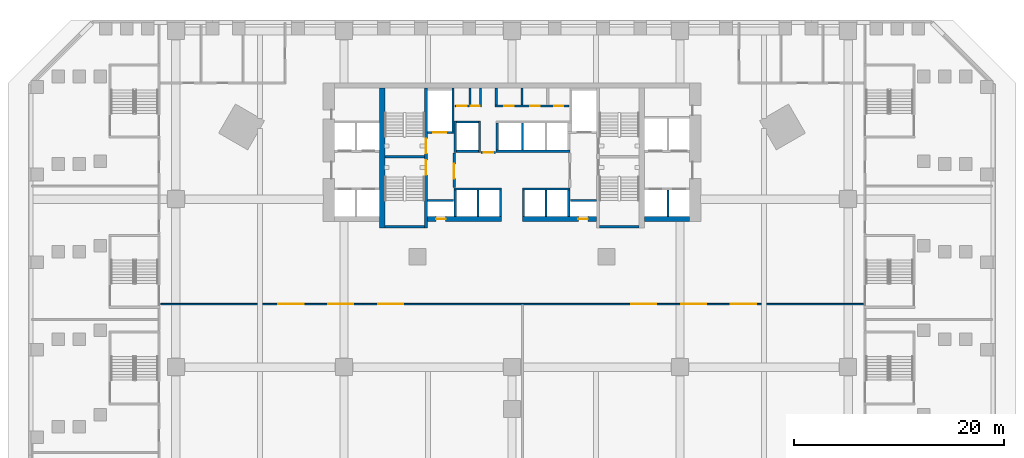
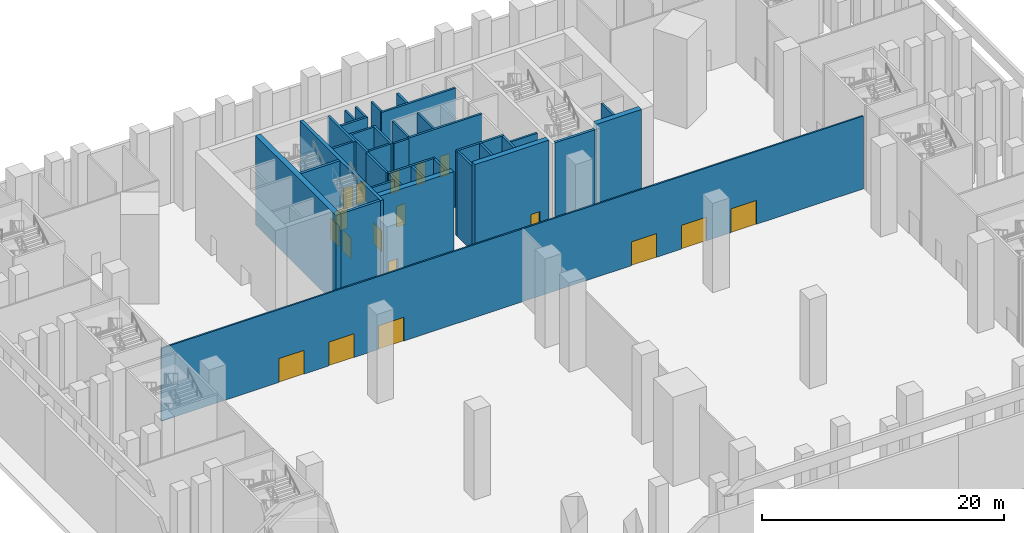
# One storey, part 7 of 25: 37 walls, 18 doors, 18 openings.
"""IFC4 building model written with IfcOpenShell, lengths in metres."""

from ifc_helpers import new_model, si_unit, direction, frame, frame_2d, origin, place, context, subcontext, project, spatial, rectangle, extrude, material, layer, layer_set, type_object, element, fill, save


model = new_model("IFC4")

# Units and contexts
model_context = context("Model", 3, precision=1e-05, world=origin(), true_north=direction((0.0, 1.0)))
body_context = subcontext(model_context, "Body", "Model", "MODEL_VIEW")
ifc_project = project(units=[si_unit("LENGTHUNIT", "METRE"), si_unit("AREAUNIT", "SQUARE_METRE"), si_unit("VOLUMEUNIT", "CUBIC_METRE"), si_unit("PLANEANGLEUNIT", "RADIAN"), si_unit("MASSUNIT", "GRAM", prefix="KILO")], contexts=[model_context])

# Site, building, storey
site_placement = place(None, origin())
site = spatial("IfcSite", under=ifc_project, at=site_placement, CompositionType="ELEMENT")
building_placement = place(site_placement, origin())
building = spatial("IfcBuilding", under=site, at=building_placement, Name="Calabash Gate Tower", CompositionType="ELEMENT")
storey_placement = place(building_placement, frame((0.0, 0.0, 20.0)))
storey = spatial("IfcBuildingStorey", under=building, at=storey_placement, Name="L02", CompositionType="ELEMENT", Elevation=20.0)

# Walls
ifc_material_1 = material(Name="Gypsum board on steel studs, mineral wool", Category="steel")
ifc_layer_1 = layer(ifc_material_1, 0.199951171875)
ifc_layer_set_1 = layer_set([ifc_layer_1], Name="Core partition 200 gypsum board")
wall_type_1 = type_object("IfcWallType", Name="Core partition 200 gypsum board", PredefinedType="PARTITIONING", material=ifc_layer_set_1)
for number, where, z_axis, x_axis, name in (
    (1, (-4.0, 16.95263671875, 0.0), (0.0, 0.0, 1.0), (0.0, 1.0, 0.0), "Core partition"),
    (2, (-3.0, 16.95263671875, 0.0), (0.0, 0.0, 1.0), (0.0, 1.0, 0.0), "Core partition"),
    (3, (-1.5, 16.95263671875, 0.0), (0.0, 0.0, 1.0), (0.0, 1.0, 0.0), "Core partition"),
    (4, (0.949951171875, 16.95263671875, 0.0), (0.0, 0.0, 1.0), (0.0, 1.0, 0.0), "Core partition"),
):
    element("IfcWall", number, at=place(storey_placement, frame(where, z_axis=z_axis, x_axis=x_axis)), inside=storey, type_object=wall_type_1, Name=name, PredefinedType="PARTITIONING", context=body_context, shape_type="SweptSolid", body=[
        extrude(rectangle(XDim=1.599853515625, YDim=0.199951171875, at=frame_2d((0.7998046875, 0.0))), origin(), (0.0, 0.0, 1.0), 8.550048828125),
    ])
ifc_material_2 = material(Name="Concrete C80/95", Category="concrete")
ifc_layer_2 = layer(ifc_material_2, 0.25)
ifc_layer_set_2 = layer_set([ifc_layer_2], Name="Core wall 250 Concrete C80/95")
wall_type_2 = type_object("IfcWallType", Name="Core wall 250 Concrete C80/95", PredefinedType="SHEAR", material=ifc_layer_set_2)
for number, where, z_axis, x_axis, name in (
    (5, (-12.10009765625, 12.027587890625, 0.0), (0.0, 0.0, 1.0), (1.0, 0.0, 0.0), "Core wall Z0-MIDW L02"),
    (6, (-12.10009765625, 5.377685546875, 0.0), (0.0, 0.0, 1.0), (1.0, 0.0, 0.0), "Core wall Z0-SSW L02"),
    (7, (8.35009765625, 5.377685546875, 0.0), (0.0, 0.0, 1.0), (1.0, 0.0, 0.0), "Core wall Z0-SSE L02"),
):
    element("IfcWall", number, at=place(storey_placement, frame(where, z_axis=z_axis, x_axis=x_axis)), inside=storey, type_object=wall_type_2, Name=name, PredefinedType="SHEAR", context=body_context, shape_type="SweptSolid", body=[
        extrude(rectangle(XDim=3.75, YDim=0.25, at=frame_2d((1.875, 0.0))), origin(), (0.0, 0.0, 1.0), 9.0),
    ])

# Wall, openings, doors
ifc_material_3 = material(Name="Concrete C80/95", Category="concrete")
ifc_layer_3 = layer(ifc_material_3, 0.300048828125)
ifc_layer_set_3 = layer_set([ifc_layer_3], Name="Core wall 300 Concrete C80/95")
wall_type_3 = type_object("IfcWallType", Name="Core wall 300 Concrete C80/95", PredefinedType="SHEAR", material=ifc_layer_set_3)
wall_1_placement = place(storey_placement, frame((-8.199951171875, 5.252685546875, 0.0), z_axis=(0.0, 0.0, 1.0), x_axis=(0.0, 1.0, 0.0)))
wall_1 = element("IfcWall", 8, at=wall_1_placement, inside=storey, type_object=wall_type_3, Name="Core wall Z0-PARTW L02", PredefinedType="SHEAR", context=body_context, shape_type="SweptSolid", body=[
    extrude(rectangle(XDim=13.2998046875, YDim=0.300048828125, at=frame_2d((6.64990234375, 0.0))), origin(), (0.0, 0.0, 1.0), 9.0),
])
opening_1_placement = place(wall_1_placement, frame((7.10009765625, 0.0, 0.0)))
opening_1 = element("IfcOpeningElement", 9, at=opening_1_placement, cuts=wall_1, Name="Opening L02-001", PredefinedType="OPENING", context=body_context, shape_type="SweptSolid", body=[
    extrude(rectangle(XDim=1.39990234375, YDim=2.10009765625, at=frame_2d((0.699951171875, 1.050048828125))), frame((0.0, 0.159912109375, 0.0), z_axis=(0.0, -1.0, 0.0), x_axis=(1.0, 0.0, 0.0)), (0.0, 0.0, 1.0), 0.320068359375),
])
opening_2_placement = place(wall_1_placement, frame((5.050048828125, 0.0, 0.0)))
opening_2 = element("IfcOpeningElement", 10, at=opening_2_placement, cuts=wall_1, Name="Opening L02-002", PredefinedType="OPENING", context=body_context, shape_type="SweptSolid", body=[
    extrude(rectangle(XDim=1.39990234375, YDim=2.10009765625, at=frame_2d((0.699951171875, 1.050048828125))), frame((0.0, 0.159912109375, 0.0), z_axis=(0.0, -1.0, 0.0), x_axis=(1.0, 0.0, 0.0)), (0.0, 0.0, 1.0), 0.320068359375),
])
ifc_material_4 = material(Name="Steel fire door set with fire-resisting glazing", Category="steel")
door_type_1 = type_object("IfcDoorType", Name="Fire door D05 1400x2100 FD90", OperationType="NOTDEFINED", PredefinedType="DOOR", material=ifc_material_4)
door_1_placement = place(opening_1_placement, origin())
door_1 = element("IfcDoor", 11, at=door_1_placement, inside=storey, type_object=door_type_1, Name="Exit stair door ST1", OperationType="SINGLE_SWING_LEFT", OverallHeight=2.10009765625, OverallWidth=1.39990234375, PredefinedType="DOOR", context=body_context, shape_type="SweptSolid", body=[
    extrude(rectangle(XDim=1.39990234375, YDim=2.10009765625, at=frame_2d((0.699951171875, 1.050048828125))), frame((0.0, 0.02490234375, 0.0), z_axis=(0.0, -1.0, 0.0), x_axis=(1.0, 0.0, 0.0)), (0.0, 0.0, 1.0), 0.050048828125),
])
fill(opening_1, door_1)
door_2_placement = place(opening_2_placement, origin())
door_2 = element("IfcDoor", 12, at=door_2_placement, inside=storey, type_object=door_type_1, Name="Exit stair door ST2", OperationType="SINGLE_SWING_LEFT", OverallHeight=2.10009765625, OverallWidth=1.39990234375, PredefinedType="DOOR", context=body_context, shape_type="SweptSolid", body=[
    extrude(rectangle(XDim=1.39990234375, YDim=2.10009765625, at=frame_2d((0.699951171875, 1.050048828125))), frame((0.0, 0.02490234375, 0.0), z_axis=(0.0, -1.0, 0.0), x_axis=(1.0, 0.0, 0.0)), (0.0, 0.0, 1.0), 0.050048828125),
])
fill(opening_2, door_2)

# Wall
ifc_material_5 = material(Name="Concrete C80/95", Category="concrete")
ifc_layer_4 = layer(ifc_material_5, 0.5)
ifc_layer_set_4 = layer_set([ifc_layer_4], Name="Core wall 500 Concrete C80/95")
wall_type_4 = type_object("IfcWallType", Name="Core wall 500 Concrete C80/95", PredefinedType="SHEAR", material=ifc_layer_set_4)
wall_2_placement = place(storey_placement, frame((-12.35009765625, 5.252685546875, 0.0), z_axis=(0.0, 0.0, 1.0), x_axis=(0.0, 1.0, 0.0)))
element("IfcWall", 13, at=wall_2_placement, inside=storey, type_object=wall_type_4, Name="Core wall Z0-COLW L02", PredefinedType="SHEAR", context=body_context, shape_type="SweptSolid", body=[
    extrude(rectangle(XDim=13.2998046875, YDim=0.5, at=frame_2d((6.64990234375, 0.0))), origin(), (0.0, 0.0, 1.0), 9.0),
])

# Wall, opening, door
wall_3_placement = place(storey_placement, frame((-8.050048828125, 6.1025390625, 0.0), z_axis=(0.0, 0.0, 1.0), x_axis=(1.0, 0.0, 0.0)))
wall_3 = element("IfcWall", 14, at=wall_3_placement, inside=storey, type_object=wall_type_4, Name="Core wall Z0-SA L02", PredefinedType="SHEAR", context=body_context, shape_type="SweptSolid", body=[
    extrude(rectangle(XDim=7.050048828125, YDim=0.5, at=frame_2d((3.52490234375, 0.0))), origin(), (0.0, 0.0, 1.0), 9.0),
])
opening_3_placement = place(wall_3_placement, frame((0.824951171875, 0.0, 0.0)))
opening_3 = element("IfcOpeningElement", 15, at=opening_3_placement, cuts=wall_3, Name="Opening L02-013", PredefinedType="OPENING", context=body_context, shape_type="SweptSolid", body=[
    extrude(rectangle(XDim=0.89990234375, YDim=2.10009765625, at=frame_2d((0.449951171875, 1.050048828125))), frame((0.0, 0.260009765625, 0.0), z_axis=(0.0, -1.0, 0.0), x_axis=(1.0, 0.0, 0.0)), (0.0, 0.0, 1.0), 0.52001953125),
])
ifc_material_6 = material(Name="Steel fire door set with fire-resisting glazing", Category="steel")
door_type_2 = type_object("IfcDoorType", Name="Fire door D07 900x2100 FD90", OperationType="NOTDEFINED", PredefinedType="DOOR", material=ifc_material_6)
door_3_placement = place(opening_3_placement, origin())
door_3 = element("IfcDoor", 16, at=door_3_placement, inside=storey, type_object=door_type_2, Name="Electrical Riser W door", OperationType="SINGLE_SWING_LEFT", OverallHeight=2.10009765625, OverallWidth=0.89990234375, PredefinedType="DOOR", context=body_context, shape_type="SweptSolid", body=[
    extrude(rectangle(XDim=0.89990234375, YDim=2.10009765625, at=frame_2d((0.449951171875, 1.050048828125))), frame((0.0, 0.02490234375, 0.0), z_axis=(0.0, -1.0, 0.0), x_axis=(1.0, 0.0, 0.0)), (0.0, 0.0, 1.0), 0.050048828125),
])
fill(opening_3, door_3)

wall_4_placement = place(storey_placement, frame((1.0, 6.1025390625, 0.0), z_axis=(0.0, 0.0, 1.0), x_axis=(1.0, 0.0, 0.0)))
wall_4 = element("IfcWall", 17, at=wall_4_placement, inside=storey, type_object=wall_type_4, Name="Core wall Z0-SB L02", PredefinedType="SHEAR", context=body_context, shape_type="SweptSolid", body=[
    extrude(rectangle(XDim=7.050048828125, YDim=0.5, at=frame_2d((3.52490234375, 0.0))), origin(), (0.0, 0.0, 1.0), 9.0),
])
opening_4_placement = place(wall_4_placement, frame((5.324951171875, 0.0, 0.0)))
opening_4 = element("IfcOpeningElement", 18, at=opening_4_placement, cuts=wall_4, Name="Opening L02-014", PredefinedType="OPENING", context=body_context, shape_type="SweptSolid", body=[
    extrude(rectangle(XDim=0.89990234375, YDim=2.10009765625, at=frame_2d((0.449951171875, 1.050048828125))), frame((0.0, 0.260009765625, 0.0), z_axis=(0.0, -1.0, 0.0), x_axis=(1.0, 0.0, 0.0)), (0.0, 0.0, 1.0), 0.52001953125),
])
door_4_placement = place(opening_4_placement, origin())
door_4 = element("IfcDoor", 19, at=door_4_placement, inside=storey, type_object=door_type_2, Name="Mechanical Riser E door", OperationType="SINGLE_SWING_RIGHT", OverallHeight=2.10009765625, OverallWidth=0.89990234375, PredefinedType="DOOR", context=body_context, shape_type="SweptSolid", body=[
    extrude(rectangle(XDim=0.89990234375, YDim=2.10009765625, at=frame_2d((0.449951171875, 1.050048828125))), frame((0.0, 0.02490234375, 0.0), z_axis=(0.0, -1.0, 0.0), x_axis=(1.0, 0.0, 0.0)), (0.0, 0.0, 1.0), 0.050048828125),
])
fill(opening_4, door_4)

# Wall
wall_5_placement = place(storey_placement, frame((12.60009765625, 6.1025390625, 0.0), z_axis=(0.0, 0.0, 1.0), x_axis=(1.0, 0.0, 0.0)))
element("IfcWall", 20, at=wall_5_placement, inside=storey, type_object=wall_type_4, Name="Core wall Z0-SE L02", PredefinedType="SHEAR", context=body_context, shape_type="SweptSolid", body=[
    extrude(rectangle(XDim=4.2998046875, YDim=0.5, at=frame_2d((2.14990234375, 0.0))), origin(), (0.0, 0.0, 1.0), 9.0),
])

# Wall, openings, doors
ifc_material_7 = material(Name="Gypsum board on steel studs, mineral wool", Category="steel")
ifc_layer_5 = layer(ifc_material_7, 0.14990234375)
ifc_layer_set_5 = layer_set([ifc_layer_5], Name="Partition 150 gypsum board")
wall_type_5 = type_object("IfcWallType", Name="Partition 150 gypsum board", PredefinedType="PARTITIONING", material=ifc_layer_set_5)
wall_6_placement = place(storey_placement, frame((-33.4599609375, -2.0, 0.0), z_axis=(0.0, 0.0, 1.0), x_axis=(1.0, 0.0, 0.0)))
wall_6 = element("IfcWall", 21, at=wall_6_placement, inside=storey, type_object=wall_type_5, Name="Partition", PredefinedType="PARTITIONING", context=body_context, shape_type="SweptSolid", body=[
    extrude(rectangle(XDim=66.919921875, YDim=0.14990234375, at=frame_2d((33.4599609375, 0.0))), origin(), (0.0, 0.0, 1.0), 7.35009765625),
])
opening_5_placement = place(wall_6_placement, frame((15.9599609375, 0.0, 0.0)))
opening_5 = element("IfcOpeningElement", 22, at=opening_5_placement, cuts=wall_6, Name="Opening L02-045", PredefinedType="OPENING", context=body_context, shape_type="SweptSolid", body=[
    extrude(rectangle(XDim=2.39990234375, YDim=2.39990234375, at=frame_2d((1.199951171875, 1.199951171875))), frame((0.0, 0.0849609375, 0.0), z_axis=(0.0, -1.0, 0.0), x_axis=(1.0, 0.0, 0.0)), (0.0, 0.0, 1.0), 0.169921875),
])
opening_6_placement = place(wall_6_placement, frame((20.7099609375, 0.0, 0.0)))
opening_6 = element("IfcOpeningElement", 23, at=opening_6_placement, cuts=wall_6, Name="Opening L02-046", PredefinedType="OPENING", context=body_context, shape_type="SweptSolid", body=[
    extrude(rectangle(XDim=2.39990234375, YDim=2.39990234375, at=frame_2d((1.199951171875, 1.199951171875))), frame((0.0, 0.0849609375, 0.0), z_axis=(0.0, -1.0, 0.0), x_axis=(1.0, 0.0, 0.0)), (0.0, 0.0, 1.0), 0.169921875),
])
opening_7_placement = place(wall_6_placement, frame((11.2099609375, 0.0, 0.0)))
opening_7 = element("IfcOpeningElement", 24, at=opening_7_placement, cuts=wall_6, Name="Opening L02-047", PredefinedType="OPENING", context=body_context, shape_type="SweptSolid", body=[
    extrude(rectangle(XDim=2.39990234375, YDim=2.39990234375, at=frame_2d((1.199951171875, 1.199951171875))), frame((0.0, 0.0849609375, 0.0), z_axis=(0.0, -1.0, 0.0), x_axis=(1.0, 0.0, 0.0)), (0.0, 0.0, 1.0), 0.169921875),
])
opening_8_placement = place(wall_6_placement, frame((49.55908203125, 0.0, 0.0)))
opening_8 = element("IfcOpeningElement", 25, at=opening_8_placement, cuts=wall_6, Name="Opening L02-048", PredefinedType="OPENING", context=body_context, shape_type="SweptSolid", body=[
    extrude(rectangle(XDim=2.39990234375, YDim=2.39990234375, at=frame_2d((1.199951171875, 1.199951171875))), frame((0.0, 0.0849609375, 0.0), z_axis=(0.0, -1.0, 0.0), x_axis=(1.0, 0.0, 0.0)), (0.0, 0.0, 1.0), 0.169921875),
])
opening_9_placement = place(wall_6_placement, frame((54.30908203125, 0.0, 0.0)))
opening_9 = element("IfcOpeningElement", 26, at=opening_9_placement, cuts=wall_6, Name="Opening L02-049", PredefinedType="OPENING", context=body_context, shape_type="SweptSolid", body=[
    extrude(rectangle(XDim=2.39990234375, YDim=2.39990234375, at=frame_2d((1.199951171875, 1.199951171875))), frame((0.0, 0.0849609375, 0.0), z_axis=(0.0, -1.0, 0.0), x_axis=(1.0, 0.0, 0.0)), (0.0, 0.0, 1.0), 0.169921875),
])
opening_10_placement = place(wall_6_placement, frame((44.80908203125, 0.0, 0.0)))
opening_10 = element("IfcOpeningElement", 27, at=opening_10_placement, cuts=wall_6, Name="Opening L02-050", PredefinedType="OPENING", context=body_context, shape_type="SweptSolid", body=[
    extrude(rectangle(XDim=2.39990234375, YDim=2.39990234375, at=frame_2d((1.199951171875, 1.199951171875))), frame((0.0, 0.0849609375, 0.0), z_axis=(0.0, -1.0, 0.0), x_axis=(1.0, 0.0, 0.0)), (0.0, 0.0, 1.0), 0.169921875),
])
ifc_material_8 = material(Name="Steel fire door set with fire-resisting glazing", Category="steel")
door_type_3 = type_object("IfcDoorType", Name="Double fire door D20 2400x2400 FD60", OperationType="DOUBLE_DOOR_SINGLE_SWING", PredefinedType="DOOR", material=ifc_material_8)
door_5_placement = place(opening_5_placement, origin())
door_5 = element("IfcDoor", 28, at=door_5_placement, inside=storey, type_object=door_type_3, Name="Ballroom door", OperationType="DOUBLE_DOOR_SINGLE_SWING", OverallHeight=2.39990234375, OverallWidth=2.39990234375, PredefinedType="DOOR", context=body_context, shape_type="SweptSolid", body=[
    extrude(rectangle(XDim=2.39990234375, YDim=2.39990234375, at=frame_2d((1.199951171875, 1.199951171875))), frame((0.0, 0.02490234375, 0.0), z_axis=(0.0, -1.0, 0.0), x_axis=(1.0, 0.0, 0.0)), (0.0, 0.0, 1.0), 0.050048828125),
])
fill(opening_5, door_5)
door_6_placement = place(opening_6_placement, origin())
door_6 = element("IfcDoor", 29, at=door_6_placement, inside=storey, type_object=door_type_3, Name="Ballroom door", OperationType="DOUBLE_DOOR_SINGLE_SWING", OverallHeight=2.39990234375, OverallWidth=2.39990234375, PredefinedType="DOOR", context=body_context, shape_type="SweptSolid", body=[
    extrude(rectangle(XDim=2.39990234375, YDim=2.39990234375, at=frame_2d((1.199951171875, 1.199951171875))), frame((0.0, 0.02490234375, 0.0), z_axis=(0.0, -1.0, 0.0), x_axis=(1.0, 0.0, 0.0)), (0.0, 0.0, 1.0), 0.050048828125),
])
fill(opening_6, door_6)
door_7_placement = place(opening_7_placement, origin())
door_7 = element("IfcDoor", 30, at=door_7_placement, inside=storey, type_object=door_type_3, Name="Ballroom door", OperationType="DOUBLE_DOOR_SINGLE_SWING", OverallHeight=2.39990234375, OverallWidth=2.39990234375, PredefinedType="DOOR", context=body_context, shape_type="SweptSolid", body=[
    extrude(rectangle(XDim=2.39990234375, YDim=2.39990234375, at=frame_2d((1.199951171875, 1.199951171875))), frame((0.0, 0.02490234375, 0.0), z_axis=(0.0, -1.0, 0.0), x_axis=(1.0, 0.0, 0.0)), (0.0, 0.0, 1.0), 0.050048828125),
])
fill(opening_7, door_7)
door_8_placement = place(opening_8_placement, origin())
door_8 = element("IfcDoor", 31, at=door_8_placement, inside=storey, type_object=door_type_3, Name="Exhibition Hall door", OperationType="DOUBLE_DOOR_SINGLE_SWING", OverallHeight=2.39990234375, OverallWidth=2.39990234375, PredefinedType="DOOR", context=body_context, shape_type="SweptSolid", body=[
    extrude(rectangle(XDim=2.39990234375, YDim=2.39990234375, at=frame_2d((1.199951171875, 1.199951171875))), frame((0.0, 0.02490234375, 0.0), z_axis=(0.0, -1.0, 0.0), x_axis=(1.0, 0.0, 0.0)), (0.0, 0.0, 1.0), 0.050048828125),
])
fill(opening_8, door_8)
door_9_placement = place(opening_9_placement, origin())
door_9 = element("IfcDoor", 32, at=door_9_placement, inside=storey, type_object=door_type_3, Name="Exhibition Hall door", OperationType="DOUBLE_DOOR_SINGLE_SWING", OverallHeight=2.39990234375, OverallWidth=2.39990234375, PredefinedType="DOOR", context=body_context, shape_type="SweptSolid", body=[
    extrude(rectangle(XDim=2.39990234375, YDim=2.39990234375, at=frame_2d((1.199951171875, 1.199951171875))), frame((0.0, 0.02490234375, 0.0), z_axis=(0.0, -1.0, 0.0), x_axis=(1.0, 0.0, 0.0)), (0.0, 0.0, 1.0), 0.050048828125),
])
fill(opening_9, door_9)
door_10_placement = place(opening_10_placement, origin())
door_10 = element("IfcDoor", 33, at=door_10_placement, inside=storey, type_object=door_type_3, Name="Exhibition Hall door", OperationType="DOUBLE_DOOR_SINGLE_SWING", OverallHeight=2.39990234375, OverallWidth=2.39990234375, PredefinedType="DOOR", context=body_context, shape_type="SweptSolid", body=[
    extrude(rectangle(XDim=2.39990234375, YDim=2.39990234375, at=frame_2d((1.199951171875, 1.199951171875))), frame((0.0, 0.02490234375, 0.0), z_axis=(0.0, -1.0, 0.0), x_axis=(1.0, 0.0, 0.0)), (0.0, 0.0, 1.0), 0.050048828125),
])
fill(opening_10, door_10)

# Walls
ifc_material_9 = material(Name="Concrete C40/50", Category="concrete")
ifc_layer_6 = layer(ifc_material_9, 0.199951171875)
ifc_layer_set_6 = layer_set([ifc_layer_6], Name="Shaft wall 200 Concrete C40/50")
wall_type_6 = type_object("IfcWallType", Name="Shaft wall 200 Concrete C40/50", PredefinedType="SOLIDWALL", material=ifc_layer_set_6)
for number, where, z_axis, x_axis, name in (
    (34, (-5.39990234375, 6.3525390625, 0.0), (0.0, 0.0, 1.0), (0.0, 1.0, 0.0), "Shaft wall"),
    (35, (-3.25, 6.3525390625, 0.0), (0.0, 0.0, 1.0), (0.0, 1.0, 0.0), "Shaft wall"),
    (36, (-1.10009765625, 6.3525390625, 0.0), (0.0, 0.0, 1.0), (0.0, 1.0, 0.0), "Shaft wall"),
    (37, (1.10009765625, 6.3525390625, 0.0), (0.0, 0.0, 1.0), (0.0, 1.0, 0.0), "Shaft wall"),
    (38, (3.25, 6.3525390625, 0.0), (0.0, 0.0, 1.0), (0.0, 1.0, 0.0), "Shaft wall"),
    (39, (5.39990234375, 6.3525390625, 0.0), (0.0, 0.0, 1.0), (0.0, 1.0, 0.0), "Shaft wall"),
    (40, (14.85009765625, 6.3525390625, 0.0), (0.0, 0.0, 1.0), (0.0, 1.0, 0.0), "Shaft wall"),
    (41, (-8.050048828125, 7.8525390625, 0.0), (0.0, 0.0, 1.0), (1.0, 0.0, 0.0), "Shaft wall"),
    (42, (5.550048828125, 7.8525390625, 0.0), (0.0, 0.0, 1.0), (1.0, 0.0, 0.0), "Shaft wall"),
):
    element("IfcWall", number, at=place(storey_placement, frame(where, z_axis=z_axis, x_axis=x_axis)), inside=storey, type_object=wall_type_6, Name=name, PredefinedType="SOLIDWALL", context=body_context, shape_type="SweptSolid", body=[
        extrude(rectangle(XDim=2.5, YDim=0.199951171875, at=frame_2d((1.25, 0.0))), origin(), (0.0, 0.0, 1.0), 8.550048828125),
    ])
for number, where, z_axis, x_axis, name in (
    (43, (-5.5, 8.95263671875, 0.0), (0.0, 0.0, 1.0), (1.0, 0.0, 0.0), "Shaft wall"),
    (44, (1.0, 8.95263671875, 0.0), (0.0, 0.0, 1.0), (1.0, 0.0, 0.0), "Shaft wall"),
):
    element("IfcWall", number, at=place(storey_placement, frame(where, z_axis=z_axis, x_axis=x_axis)), inside=storey, type_object=wall_type_6, Name=name, PredefinedType="SOLIDWALL", context=body_context, shape_type="SweptSolid", body=[
        extrude(rectangle(XDim=4.5, YDim=0.199951171875, at=frame_2d((2.25, 0.0))), origin(), (0.0, 0.0, 1.0), 8.550048828125),
    ])

# Wall, opening, door
wall_7_placement = place(storey_placement, frame((-5.5, 9.1025390625, 0.0), z_axis=(0.0, 0.0, 1.0), x_axis=(0.0, 1.0, 0.0)))
wall_7 = element("IfcWall", 45, at=wall_7_placement, inside=storey, type_object=wall_type_6, Name="Shaft wall", PredefinedType="SOLIDWALL", context=body_context, shape_type="SweptSolid", body=[
    extrude(rectangle(XDim=3.300048828125, YDim=0.199951171875, at=frame_2d((1.64990234375, 0.0))), origin(), (0.0, 0.0, 1.0), 8.550048828125),
])
opening_11_placement = place(wall_7_placement, frame((0.85009765625, 0.0, 0.0)))
opening_11 = element("IfcOpeningElement", 46, at=opening_11_placement, cuts=wall_7, Name="Opening L02-006", PredefinedType="OPENING", context=body_context, shape_type="SweptSolid", body=[
    extrude(rectangle(XDim=1.39990234375, YDim=2.10009765625, at=frame_2d((0.699951171875, 1.050048828125))), frame((0.0, 0.10986328125, 0.0), z_axis=(0.0, -1.0, 0.0), x_axis=(1.0, 0.0, 0.0)), (0.0, 0.0, 1.0), 0.219970703125),
])
door_11_placement = place(opening_11_placement, origin())
door_11 = element("IfcDoor", 47, at=door_11_placement, inside=storey, type_object=door_type_1, Name="Firefighting Lobby W door", OperationType="SINGLE_SWING_RIGHT", OverallHeight=2.10009765625, OverallWidth=1.39990234375, PredefinedType="DOOR", context=body_context, shape_type="SweptSolid", body=[
    extrude(rectangle(XDim=1.39990234375, YDim=2.10009765625, at=frame_2d((0.699951171875, 1.050048828125))), frame((0.0, 0.02490234375, 0.0), z_axis=(0.0, -1.0, 0.0), x_axis=(1.0, 0.0, 0.0)), (0.0, 0.0, 1.0), 0.050048828125),
])
fill(opening_11, door_11)

wall_8_placement = place(storey_placement, frame((-2.949951171875, 12.45263671875, 0.0), z_axis=(0.0, 0.0, 1.0), x_axis=(1.0, 0.0, 0.0)))
wall_8 = element("IfcWall", 48, at=wall_8_placement, inside=storey, type_object=wall_type_6, Name="Shaft wall", PredefinedType="SOLIDWALL", context=body_context, shape_type="SweptSolid", body=[
    extrude(rectangle(XDim=1.39990234375, YDim=0.199951171875, at=frame_2d((0.699951171875, 0.0))), origin(), (0.0, 0.0, 1.0), 8.550048828125),
])
opening_12_placement = place(wall_8_placement, frame((0.25, 0.0, 0.0)))
opening_12 = element("IfcOpeningElement", 49, at=opening_12_placement, cuts=wall_8, Name="Opening L02-005", PredefinedType="OPENING", context=body_context, shape_type="SweptSolid", body=[
    extrude(rectangle(XDim=0.89990234375, YDim=2.10009765625, at=frame_2d((0.449951171875, 1.050048828125))), frame((0.0, 0.10986328125, 0.0), z_axis=(0.0, -1.0, 0.0), x_axis=(1.0, 0.0, 0.0)), (0.0, 0.0, 1.0), 0.219970703125),
])
ifc_material_10 = material(Name="Steel fire door set with fire-resisting glazing", Category="steel")
door_type_4 = type_object("IfcDoorType", Name="Fire door D06 900x2100 FD60", OperationType="NOTDEFINED", PredefinedType="DOOR", material=ifc_material_10)
door_12_placement = place(opening_12_placement, origin())
door_12 = element("IfcDoor", 50, at=door_12_placement, inside=storey, type_object=door_type_4, Name="Service Corridor door", OperationType="SINGLE_SWING_RIGHT", OverallHeight=2.10009765625, OverallWidth=0.89990234375, PredefinedType="DOOR", context=body_context, shape_type="SweptSolid", body=[
    extrude(rectangle(XDim=0.89990234375, YDim=2.10009765625, at=frame_2d((0.449951171875, 1.050048828125))), frame((0.0, 0.02490234375, 0.0), z_axis=(0.0, -1.0, 0.0), x_axis=(1.0, 0.0, 0.0)), (0.0, 0.0, 1.0), 0.050048828125),
])
fill(opening_12, door_12)

# Walls
wall_9_placement = place(storey_placement, frame((-5.39990234375, 12.45263671875, 0.0), z_axis=(0.0, 0.0, 1.0), x_axis=(0.0, 1.0, 0.0)))
element("IfcWall", 51, at=wall_9_placement, inside=storey, type_object=wall_type_6, Name="Shaft wall", PredefinedType="SOLIDWALL", context=body_context, shape_type="SweptSolid", body=[
    extrude(rectangle(XDim=3.0, YDim=0.199951171875, at=frame_2d((1.5, 0.0))), origin(), (0.0, 0.0, 1.0), 8.550048828125),
])
wall_10_placement = place(storey_placement, frame((-5.300048828125, 12.552490234375, 0.0), z_axis=(0.0, 0.0, 1.0), x_axis=(1.0, 0.0, 0.0)))
element("IfcWall", 52, at=wall_10_placement, inside=storey, type_object=wall_type_6, Name="Shaft wall", PredefinedType="SOLIDWALL", context=body_context, shape_type="SweptSolid", body=[
    extrude(rectangle(XDim=2.10009765625, YDim=0.199951171875, at=frame_2d((1.050048828125, 0.0))), origin(), (0.0, 0.0, 1.0), 8.550048828125),
])
wall_11_placement = place(storey_placement, frame((-3.10009765625, 12.45263671875, 0.0), z_axis=(0.0, 0.0, 1.0), x_axis=(0.0, 1.0, 0.0)))
element("IfcWall", 53, at=wall_11_placement, inside=storey, type_object=wall_type_6, Name="Shaft wall", PredefinedType="SOLIDWALL", context=body_context, shape_type="SweptSolid", body=[
    extrude(rectangle(XDim=3.0, YDim=0.199951171875, at=frame_2d((1.5, 0.0))), origin(), (0.0, 0.0, 1.0), 8.550048828125),
])
wall_12_placement = place(storey_placement, frame((-1.5, 12.552490234375, 0.0), z_axis=(0.0, 0.0, 1.0), x_axis=(1.0, 0.0, 0.0)))
element("IfcWall", 54, at=wall_12_placement, inside=storey, type_object=wall_type_6, Name="Shaft wall", PredefinedType="SOLIDWALL", context=body_context, shape_type="SweptSolid", body=[
    extrude(rectangle(XDim=7.0, YDim=0.199951171875, at=frame_2d((3.5, 0.0))), origin(), (0.0, 0.0, 1.0), 8.550048828125),
])
for number, where, z_axis, x_axis, name in (
    (55, (-1.39990234375, 12.652587890625, 0.0), (0.0, 0.0, 1.0), (0.0, 1.0, 0.0), "Shaft wall"),
    (56, (1.0, 12.652587890625, 0.0), (0.0, 0.0, 1.0), (0.0, 1.0, 0.0), "Shaft wall"),
):
    element("IfcWall", number, at=place(storey_placement, frame(where, z_axis=z_axis, x_axis=x_axis)), inside=storey, type_object=wall_type_6, Name=name, PredefinedType="SOLIDWALL", context=body_context, shape_type="SweptSolid", body=[
        extrude(rectangle(XDim=2.60009765625, YDim=0.199951171875, at=frame_2d((1.300048828125, 0.0))), origin(), (0.0, 0.0, 1.0), 8.550048828125),
    ])

# Wall, opening, door
wall_13_placement = place(storey_placement, frame((-8.050048828125, 14.3525390625, 0.0), z_axis=(0.0, 0.0, 1.0), x_axis=(1.0, 0.0, 0.0)))
wall_13 = element("IfcWall", 57, at=wall_13_placement, inside=storey, type_object=wall_type_6, Name="Shaft wall", PredefinedType="SOLIDWALL", context=body_context, shape_type="SweptSolid", body=[
    extrude(rectangle(XDim=2.35009765625, YDim=0.199951171875, at=frame_2d((1.175048828125, 0.0))), origin(), (0.0, 0.0, 1.0), 8.550048828125),
])
opening_13_placement = place(wall_13_placement, frame((0.574951171875, 0.0, 0.0)))
opening_13 = element("IfcOpeningElement", 58, at=opening_13_placement, cuts=wall_13, Name="Opening LD-FF1", PredefinedType="OPENING", context=body_context, shape_type="SweptSolid", body=[
    extrude(rectangle(XDim=1.199951171875, YDim=2.10009765625, at=frame_2d((0.60009765625, 1.050048828125))), frame((0.0, 0.10986328125, 0.0), z_axis=(0.0, -1.0, 0.0), x_axis=(1.0, 0.0, 0.0)), (0.0, 0.0, 1.0), 0.219970703125),
])
ifc_material_11 = material(Name="Stainless steel sliding door leaves", Category="steel")
door_type_5 = type_object("IfcDoorType", Name="Lift landing door LS3 1200x2100 FD90", OperationType="DOUBLE_DOOR_SLIDING", PredefinedType="DOOR", material=ifc_material_11)
door_13_placement = place(opening_13_placement, origin())
door_13 = element("IfcDoor", 59, at=door_13_placement, inside=storey, type_object=door_type_5, Name="Lift landing door FF1", OperationType="DOUBLE_DOOR_SLIDING", OverallHeight=2.10009765625, OverallWidth=1.199951171875, PredefinedType="DOOR", context=body_context, shape_type="SweptSolid", body=[
    extrude(rectangle(XDim=1.199951171875, YDim=2.10009765625, at=frame_2d((0.60009765625, 1.050048828125))), frame((0.0, 0.02490234375, 0.0), z_axis=(0.0, -1.0, 0.0), x_axis=(1.0, 0.0, 0.0)), (0.0, 0.0, 1.0), 0.050048828125),
])
fill(opening_13, door_13)

# Walls
wall_14_placement = place(storey_placement, frame((-5.60009765625, 14.252685546875, 0.0), z_axis=(0.0, 0.0, 1.0), x_axis=(0.0, 1.0, 0.0)))
element("IfcWall", 60, at=wall_14_placement, inside=storey, type_object=wall_type_6, Name="Shaft wall", PredefinedType="SOLIDWALL", context=body_context, shape_type="SweptSolid", body=[
    extrude(rectangle(XDim=4.2998046875, YDim=0.199951171875, at=frame_2d((2.14990234375, 0.0))), origin(), (0.0, 0.0, 1.0), 8.550048828125),
])
wall_15_placement = place(storey_placement, frame((-5.300048828125, 15.3525390625, 0.0), z_axis=(0.0, 0.0, 1.0), x_axis=(1.0, 0.0, 0.0)))
element("IfcWall", 61, at=wall_15_placement, inside=storey, type_object=wall_type_6, Name="Shaft wall", PredefinedType="SOLIDWALL", context=body_context, shape_type="SweptSolid", body=[
    extrude(rectangle(XDim=2.10009765625, YDim=0.199951171875, at=frame_2d((1.050048828125, 0.0))), origin(), (0.0, 0.0, 1.0), 8.550048828125),
])

# Wall, openings, doors
wall_16_placement = place(storey_placement, frame((-5.449951171875, 16.8525390625, 0.0), z_axis=(0.0, 0.0, 1.0), x_axis=(1.0, 0.0, 0.0)))
wall_16 = element("IfcWall", 62, at=wall_16_placement, inside=storey, type_object=wall_type_6, Name="Shaft wall", PredefinedType="SOLIDWALL", context=body_context, shape_type="SweptSolid", body=[
    extrude(rectangle(XDim=2.550048828125, YDim=0.199951171875, at=frame_2d((1.27490234375, 0.0))), origin(), (0.0, 0.0, 1.0), 8.550048828125),
])
opening_14_placement = place(wall_16_placement, frame((0.25, 0.0, 0.0)))
opening_14 = element("IfcOpeningElement", 63, at=opening_14_placement, cuts=wall_16, Name="Opening L02-008", PredefinedType="OPENING", context=body_context, shape_type="SweptSolid", body=[
    extrude(rectangle(XDim=0.89990234375, YDim=2.10009765625, at=frame_2d((0.449951171875, 1.050048828125))), frame((0.0, 0.10986328125, 0.0), z_axis=(0.0, -1.0, 0.0), x_axis=(1.0, 0.0, 0.0)), (0.0, 0.0, 1.0), 0.219970703125),
])
opening_15_placement = place(wall_16_placement, frame((1.5, 0.0, 0.0)))
opening_15 = element("IfcOpeningElement", 64, at=opening_15_placement, cuts=wall_16, Name="Opening L02-009", PredefinedType="OPENING", context=body_context, shape_type="SweptSolid", body=[
    extrude(rectangle(XDim=0.89990234375, YDim=2.10009765625, at=frame_2d((0.449951171875, 1.050048828125))), frame((0.0, 0.10986328125, 0.0), z_axis=(0.0, -1.0, 0.0), x_axis=(1.0, 0.0, 0.0)), (0.0, 0.0, 1.0), 0.219970703125),
])
door_14_placement = place(opening_14_placement, origin())
door_14 = element("IfcDoor", 65, at=door_14_placement, inside=storey, type_object=door_type_4, Name="Cleaner's Store door", OperationType="SINGLE_SWING_LEFT", OverallHeight=2.10009765625, OverallWidth=0.89990234375, PredefinedType="DOOR", context=body_context, shape_type="SweptSolid", body=[
    extrude(rectangle(XDim=0.89990234375, YDim=2.10009765625, at=frame_2d((0.449951171875, 1.050048828125))), frame((0.0, 0.02490234375, 0.0), z_axis=(0.0, -1.0, 0.0), x_axis=(1.0, 0.0, 0.0)), (0.0, 0.0, 1.0), 0.050048828125),
])
fill(opening_14, door_14)
door_15_placement = place(opening_15_placement, origin())
door_15 = element("IfcDoor", 66, at=door_15_placement, inside=storey, type_object=door_type_4, Name="Cleaner's Store door", OperationType="SINGLE_SWING_LEFT", OverallHeight=2.10009765625, OverallWidth=0.89990234375, PredefinedType="DOOR", context=body_context, shape_type="SweptSolid", body=[
    extrude(rectangle(XDim=0.89990234375, YDim=2.10009765625, at=frame_2d((0.449951171875, 1.050048828125))), frame((0.0, 0.02490234375, 0.0), z_axis=(0.0, -1.0, 0.0), x_axis=(1.0, 0.0, 0.0)), (0.0, 0.0, 1.0), 0.050048828125),
])
fill(opening_15, door_15)

wall_17_placement = place(storey_placement, frame((-1.60009765625, 16.8525390625, 0.0), z_axis=(0.0, 0.0, 1.0), x_axis=(1.0, 0.0, 0.0)))
wall_17 = element("IfcWall", 67, at=wall_17_placement, inside=storey, type_object=wall_type_6, Name="Shaft wall", PredefinedType="SOLIDWALL", context=body_context, shape_type="SweptSolid", body=[
    extrude(rectangle(XDim=7.050048828125, YDim=0.199951171875, at=frame_2d((3.52490234375, 0.0))), origin(), (0.0, 0.0, 1.0), 8.550048828125),
])
opening_16_placement = place(wall_17_placement, frame((0.875, 0.0, 0.0)))
opening_16 = element("IfcOpeningElement", 68, at=opening_16_placement, cuts=wall_17, Name="Opening L02-010", PredefinedType="OPENING", context=body_context, shape_type="SweptSolid", body=[
    extrude(rectangle(XDim=0.89990234375, YDim=2.10009765625, at=frame_2d((0.449951171875, 1.050048828125))), frame((0.0, 0.10986328125, 0.0), z_axis=(0.0, -1.0, 0.0), x_axis=(1.0, 0.0, 0.0)), (0.0, 0.0, 1.0), 0.219970703125),
])
opening_17_placement = place(wall_17_placement, frame((3.324951171875, 0.0, 0.0)))
opening_17 = element("IfcOpeningElement", 69, at=opening_17_placement, cuts=wall_17, Name="Opening L02-011", PredefinedType="OPENING", context=body_context, shape_type="SweptSolid", body=[
    extrude(rectangle(XDim=0.89990234375, YDim=2.10009765625, at=frame_2d((0.449951171875, 1.050048828125))), frame((0.0, 0.10986328125, 0.0), z_axis=(0.0, -1.0, 0.0), x_axis=(1.0, 0.0, 0.0)), (0.0, 0.0, 1.0), 0.219970703125),
])
opening_18_placement = place(wall_17_placement, frame((5.60009765625, 0.0, 0.0)))
opening_18 = element("IfcOpeningElement", 70, at=opening_18_placement, cuts=wall_17, Name="Opening L02-012", PredefinedType="OPENING", context=body_context, shape_type="SweptSolid", body=[
    extrude(rectangle(XDim=0.89990234375, YDim=2.10009765625, at=frame_2d((0.449951171875, 1.050048828125))), frame((0.0, 0.10986328125, 0.0), z_axis=(0.0, -1.0, 0.0), x_axis=(1.0, 0.0, 0.0)), (0.0, 0.0, 1.0), 0.219970703125),
])
door_16_placement = place(opening_16_placement, origin())
door_16 = element("IfcDoor", 71, at=door_16_placement, inside=storey, type_object=door_type_4, Name="Comms Room door", OperationType="SINGLE_SWING_LEFT", OverallHeight=2.10009765625, OverallWidth=0.89990234375, PredefinedType="DOOR", context=body_context, shape_type="SweptSolid", body=[
    extrude(rectangle(XDim=0.89990234375, YDim=2.10009765625, at=frame_2d((0.449951171875, 1.050048828125))), frame((0.0, 0.02490234375, 0.0), z_axis=(0.0, -1.0, 0.0), x_axis=(1.0, 0.0, 0.0)), (0.0, 0.0, 1.0), 0.050048828125),
])
fill(opening_16, door_16)
door_17_placement = place(opening_17_placement, origin())
door_17 = element("IfcDoor", 72, at=door_17_placement, inside=storey, type_object=door_type_4, Name="Staff WC door", OperationType="SINGLE_SWING_LEFT", OverallHeight=2.10009765625, OverallWidth=0.89990234375, PredefinedType="DOOR", context=body_context, shape_type="SweptSolid", body=[
    extrude(rectangle(XDim=0.89990234375, YDim=2.10009765625, at=frame_2d((0.449951171875, 1.050048828125))), frame((0.0, 0.02490234375, 0.0), z_axis=(0.0, -1.0, 0.0), x_axis=(1.0, 0.0, 0.0)), (0.0, 0.0, 1.0), 0.050048828125),
])
fill(opening_17, door_17)
door_18_placement = place(opening_18_placement, origin())
door_18 = element("IfcDoor", 73, at=door_18_placement, inside=storey, type_object=door_type_4, Name="Store door", OperationType="SINGLE_SWING_RIGHT", OverallHeight=2.10009765625, OverallWidth=0.89990234375, PredefinedType="DOOR", context=body_context, shape_type="SweptSolid", body=[
    extrude(rectangle(XDim=0.89990234375, YDim=2.10009765625, at=frame_2d((0.449951171875, 1.050048828125))), frame((0.0, 0.02490234375, 0.0), z_axis=(0.0, -1.0, 0.0), x_axis=(1.0, 0.0, 0.0)), (0.0, 0.0, 1.0), 0.050048828125),
])
fill(opening_18, door_18)

save(model, "model.ifc")
